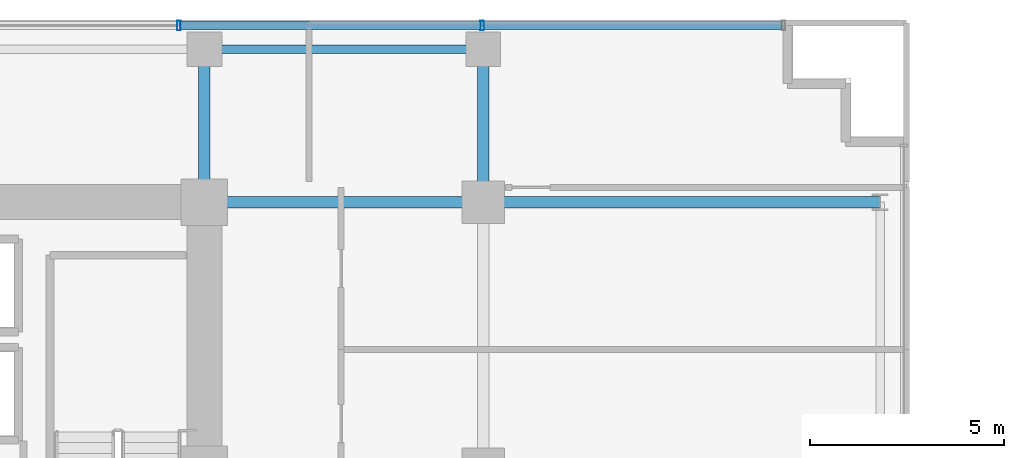
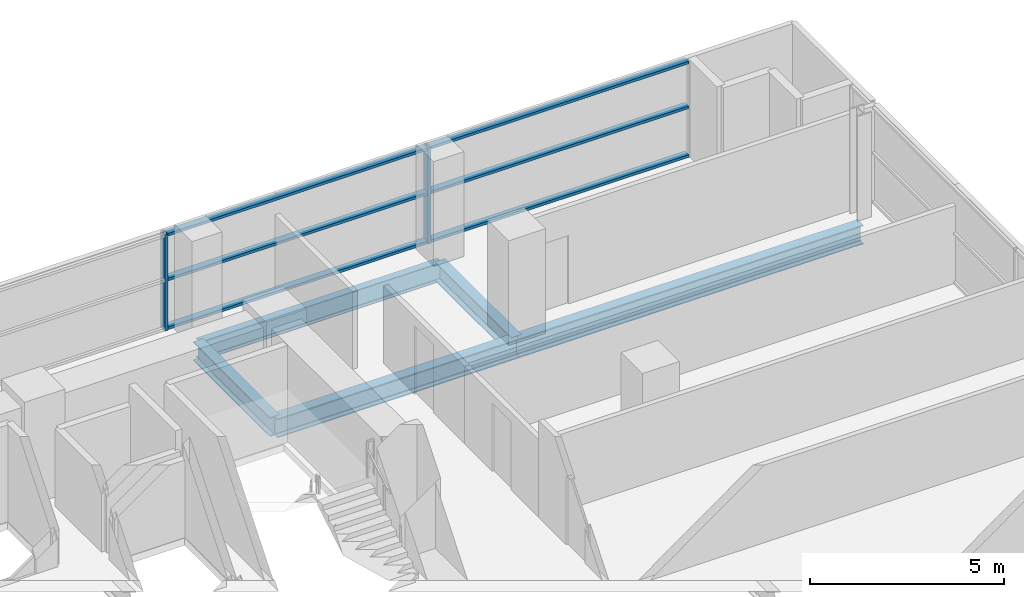
# One storey, part 16 of 27: 8 members, 5 beams, 1 element without a shape of its own.
"""IFC4 building model written with IfcOpenShell, lengths in metres."""

from ifc_helpers import new_model, si_unit, direction, frame, origin, origin_2d, place, context, subcontext, project, spatial, hollow_rectangle, i_section, extrude, source, transform, mapped, material, layer, layer_set, material_profile, profile_set, type_object, element, aggregate, save


model = new_model("IFC4")

# Units and contexts
model_context = context("Model", 3, precision=1e-05, world=origin(), true_north=direction((0.0, 1.0)))
body_context = subcontext(model_context, "Body", "Model", "MODEL_VIEW")
ifc_project = project(units=[si_unit("LENGTHUNIT", "METRE"), si_unit("AREAUNIT", "SQUARE_METRE"), si_unit("VOLUMEUNIT", "CUBIC_METRE"), si_unit("PLANEANGLEUNIT", "RADIAN"), si_unit("MASSUNIT", "GRAM", prefix="KILO")], contexts=[model_context])

# Site, building, storey
site_placement = place(None, origin())
site = spatial("IfcSite", under=ifc_project, at=site_placement, CompositionType="ELEMENT")
building_placement = place(site_placement, origin())
building = spatial("IfcBuilding", under=site, at=building_placement, Name="Zarnakvel Exchange Tower", CompositionType="ELEMENT")
storey_placement = place(building_placement, frame((0.0, 0.0, 76.89990234375)))
storey = spatial("IfcBuildingStorey", under=building, at=storey_placement, Name="L21", CompositionType="ELEMENT", Elevation=76.89990234375)

# Beams
ifc_material_1 = material(Name="Steel S355", Category="steel")
ifc_material_profile_1 = material_profile(ifc_material_1, i_section(OverallWidth=0.300048828125, OverallDepth=0.60009765625, WebThickness=0.015380859375, FlangeThickness=0.030029296875, FilletRadius=0.027099609375, at=origin_2d()))
ifc_profile_set_1 = profile_set([ifc_material_profile_1], Name="Steel S355")
beam_type_1 = type_object("IfcBeamType", Name="G-04", PredefinedType="BEAM", material=ifc_profile_set_1)
beam_1_placement = place(storey_placement, frame((14.39990234375, 13.5, -0.52490234375), z_axis=(1.0, 0.0, 0.0), x_axis=(0.0, 1.0, 0.0)))
element("IfcBeam", 1, at=beam_1_placement, inside=storey, type_object=beam_type_1, Name="L21 Tower E-W Frame Beam", PredefinedType="BEAM", context=body_context, shape_type="SweptSolid", body=[
    extrude(i_section(OverallWidth=0.300048828125, OverallDepth=0.60009765625, WebThickness=0.015380859375, FlangeThickness=0.030029296875, FilletRadius=0.027099609375, at=origin_2d()), origin(), (0.0, 0.0, 1.0), 7.2001953125),
])
beam_2_placement = place(storey_placement, frame((21.60009765625, 13.5, -0.52490234375), z_axis=(1.0, 0.0, 0.0), x_axis=(0.0, 1.0, 0.0)))
element("IfcBeam", 2, at=beam_2_placement, inside=storey, type_object=beam_type_1, Name="L21 Tower E-W Frame Beam", PredefinedType="BEAM", context=body_context, shape_type="SweptSolid", body=[
    extrude(i_section(OverallWidth=0.300048828125, OverallDepth=0.60009765625, WebThickness=0.015380859375, FlangeThickness=0.030029296875, FilletRadius=0.027099609375, at=origin_2d()), origin(), (0.0, 0.0, 1.0), 10.25),
])
for number, where, z_axis, x_axis, name in (
    (3, (14.39990234375, 13.5, -0.52490234375), (0.0, 1.0, 0.0), (-1.0, 0.0, 0.0), "L21 Tower N-S Frame Beam"),
    (4, (21.60009765625, 13.5, -0.52490234375), (0.0, 1.0, 0.0), (-1.0, 0.0, 0.0), "L21 Tower N-S Frame Beam"),
):
    element("IfcBeam", number, at=place(storey_placement, frame(where, z_axis=z_axis, x_axis=x_axis)), inside=storey, type_object=beam_type_1, Name=name, PredefinedType="BEAM", context=body_context, shape_type="SweptSolid", body=[
        extrude(i_section(OverallWidth=0.300048828125, OverallDepth=0.60009765625, WebThickness=0.015380859375, FlangeThickness=0.030029296875, FilletRadius=0.027099609375, at=origin_2d()), origin(), (0.0, 0.0, 1.0), 3.949951171875),
    ])
ifc_material_profile_2 = material_profile(ifc_material_1, i_section(OverallWidth=0.219970703125, OverallDepth=0.60009765625, WebThickness=0.011962890625, FlangeThickness=0.01904296875, FilletRadius=0.02392578125, at=origin_2d()))
ifc_profile_set_2 = profile_set([ifc_material_profile_2], Name="Steel S355")
beam_type_2 = type_object("IfcBeamType", Name="SP-01", PredefinedType="SPANDREL", material=ifc_profile_set_2)
beam_3_placement = place(storey_placement, frame((14.39990234375, 17.449951171875, -0.52490234375), z_axis=(1.0, 0.0, 0.0), x_axis=(0.0, 1.0, 0.0)))
element("IfcBeam", 5, at=beam_3_placement, inside=storey, type_object=beam_type_2, Name="L21 Tower E-W Frame Beam", PredefinedType="SPANDREL", context=body_context, shape_type="SweptSolid", body=[
    extrude(i_section(OverallWidth=0.219970703125, OverallDepth=0.60009765625, WebThickness=0.011962890625, FlangeThickness=0.01904296875, FilletRadius=0.02392578125, at=origin_2d()), origin(), (0.0, 0.0, 1.0), 7.2001953125),
])

# Curtain wall, members
ifc_material_2 = material(Name="Architectural Bronze Anodised Aluminium", Category="aluminium")
ifc_layer = layer(ifc_material_2, 0.239990234375)
ifc_layer_set = layer_set([ifc_layer], Name="Architectural Bronze Anodised Aluminium")
curtain_wall_type = type_object("IfcCurtainWallType", Name="CW-02", PredefinedType="NOTDEFINED", material=ifc_layer_set)
curtain_wall_placement = place(storey_placement, origin())
curtain_wall = element("IfcCurtainWall", 6, at=curtain_wall_placement, inside=storey, type_object=curtain_wall_type, Name="L21 Curtain Wall CW-L21-N1 (CW-02)", PredefinedType="NOTDEFINED")
ifc_material_profile_3 = material_profile(ifc_material_2, hollow_rectangle(XDim=0.199951171875, YDim=0.0849609375, WallThickness=0.0048828125, at=origin_2d()))
ifc_profile_set_3 = profile_set([ifc_material_profile_3], Name="Architectural Bronze Anodised Aluminium")
member_type_1 = type_object("IfcMemberType", Name="CWT-02", PredefinedType="USERDEFINED", material=ifc_profile_set_3)
shared_shape_1 = source(origin(), body_context, "Body", "SweptSolid", [
    extrude(hollow_rectangle(XDim=0.199951171875, YDim=0.0849609375, WallThickness=0.0048828125, at=origin_2d()), origin(), (0.0, 0.0, 1.0), 7.693603515625),
])
member_1_placement = place(storey_placement, frame((21.616455078125, 18.06005859375, 0.04248046875), z_axis=(1.0, 0.0, 0.0), x_axis=(0.0, 1.0, 0.0)))
member_1 = element("IfcMember", 7, at=member_1_placement, type_object=member_type_1, Name="CW-02 transom 7.1", ObjectType="TRANSOM", PredefinedType="USERDEFINED", context=body_context, shape_type="MappedRepresentation", body=[
    mapped(shared_shape_1, transform((0.0, 0.0, 0.0), x_axis=(1.0, 0.0, 0.0), y_axis=(0.0, 1.0, 0.0), z_axis=(0.0, 0.0, 1.0), scale=1.0)),
])
member_2_placement = place(storey_placement, frame((21.616455078125, 18.06005859375, 1.57568359375), z_axis=(1.0, 0.0, 0.0), x_axis=(0.0, 1.0, 0.0)))
member_2 = element("IfcMember", 8, at=member_2_placement, type_object=member_type_1, Name="CW-02 transom 7.2", ObjectType="TRANSOM", PredefinedType="USERDEFINED", context=body_context, shape_type="MappedRepresentation", body=[
    mapped(shared_shape_1, transform((0.0, 0.0, 0.0), x_axis=(1.0, 0.0, 0.0), y_axis=(0.0, 1.0, 0.0), z_axis=(0.0, 0.0, 1.0), scale=1.0)),
])
member_3_placement = place(storey_placement, frame((21.616455078125, 18.06005859375, 2.987548828125), z_axis=(1.0, 0.0, 0.0), x_axis=(0.0, 1.0, 0.0)))
member_3 = element("IfcMember", 9, at=member_3_placement, type_object=member_type_1, Name="CW-02 transom 7.3", ObjectType="TRANSOM", PredefinedType="USERDEFINED", context=body_context, shape_type="MappedRepresentation", body=[
    mapped(shared_shape_1, transform((0.0, 0.0, 0.0), x_axis=(1.0, 0.0, 0.0), y_axis=(0.0, 1.0, 0.0), z_axis=(0.0, 0.0, 1.0), scale=1.0)),
])
shared_shape_2 = source(origin(), body_context, "Body", "SweptSolid", [
    extrude(hollow_rectangle(XDim=0.199951171875, YDim=0.0849609375, WallThickness=0.0048828125, at=origin_2d()), origin(), (0.0, 0.0, 1.0), 7.738525390625),
])
member_4_placement = place(storey_placement, frame((13.787841796875, 18.06005859375, 0.04248046875), z_axis=(1.0, 0.0, 0.0), x_axis=(0.0, 1.0, 0.0)))
member_4 = element("IfcMember", 10, at=member_4_placement, type_object=member_type_1, Name="CW-02 transom 6.1", ObjectType="TRANSOM", PredefinedType="USERDEFINED", context=body_context, shape_type="MappedRepresentation", body=[
    mapped(shared_shape_2, transform((0.0, 0.0, 0.0), x_axis=(1.0, 0.0, 0.0), y_axis=(0.0, 1.0, 0.0), z_axis=(0.0, 0.0, 1.0), scale=1.0)),
])
member_5_placement = place(storey_placement, frame((13.787841796875, 18.06005859375, 1.57568359375), z_axis=(1.0, 0.0, 0.0), x_axis=(0.0, 1.0, 0.0)))
member_5 = element("IfcMember", 11, at=member_5_placement, type_object=member_type_1, Name="CW-02 transom 6.2", ObjectType="TRANSOM", PredefinedType="USERDEFINED", context=body_context, shape_type="MappedRepresentation", body=[
    mapped(shared_shape_2, transform((0.0, 0.0, 0.0), x_axis=(1.0, 0.0, 0.0), y_axis=(0.0, 1.0, 0.0), z_axis=(0.0, 0.0, 1.0), scale=1.0)),
])
member_6_placement = place(storey_placement, frame((13.787841796875, 18.06005859375, 2.987548828125), z_axis=(1.0, 0.0, 0.0), x_axis=(0.0, 1.0, 0.0)))
member_6 = element("IfcMember", 12, at=member_6_placement, type_object=member_type_1, Name="CW-02 transom 6.3", ObjectType="TRANSOM", PredefinedType="USERDEFINED", context=body_context, shape_type="MappedRepresentation", body=[
    mapped(shared_shape_2, transform((0.0, 0.0, 0.0), x_axis=(1.0, 0.0, 0.0), y_axis=(0.0, 1.0, 0.0), z_axis=(0.0, 0.0, 1.0), scale=1.0)),
])
ifc_material_profile_4 = material_profile(ifc_material_2, hollow_rectangle(XDim=0.239990234375, YDim=0.090087890625, WallThickness=0.006103515625, at=origin_2d()))
ifc_profile_set_4 = profile_set([ifc_material_profile_4], Name="Architectural Bronze Anodised Aluminium")
member_type_2 = type_object("IfcMemberType", Name="CWM-02", PredefinedType="MULLION", material=ifc_profile_set_4)
shared_shape_3 = source(origin(), body_context, "Body", "SweptSolid", [
    extrude(hollow_rectangle(XDim=0.239990234375, YDim=0.090087890625, WallThickness=0.006103515625, at=origin_2d()), origin(), (0.0, 0.0, 1.0), 3.030029296875),
])
member_7_placement = place(storey_placement, frame((13.742919921875, 18.06005859375, 0.0), z_axis=(0.0, 0.0, 1.0), x_axis=(0.0, 1.0, 0.0)))
member_7 = element("IfcMember", 13, at=member_7_placement, type_object=member_type_2, Name="CW-02 mullion 6", PredefinedType="MULLION", context=body_context, shape_type="MappedRepresentation", body=[
    mapped(shared_shape_3, transform((0.0, 0.0, 0.0), x_axis=(1.0, 0.0, 0.0), y_axis=(0.0, 1.0, 0.0), z_axis=(0.0, 0.0, 1.0), scale=1.0)),
])
member_8_placement = place(storey_placement, frame((21.571533203125, 18.06005859375, 0.0), z_axis=(0.0, 0.0, 1.0), x_axis=(0.0, 1.0, 0.0)))
member_8 = element("IfcMember", 14, at=member_8_placement, type_object=member_type_2, Name="CW-02 mullion 7", PredefinedType="MULLION", context=body_context, shape_type="MappedRepresentation", body=[
    mapped(shared_shape_3, transform((0.0, 0.0, 0.0), x_axis=(1.0, 0.0, 0.0), y_axis=(0.0, 1.0, 0.0), z_axis=(0.0, 0.0, 1.0), scale=1.0)),
])
aggregate(curtain_wall, [member_7, member_8, member_4, member_5, member_6, member_1, member_2, member_3])

save(model, "model.ifc")
